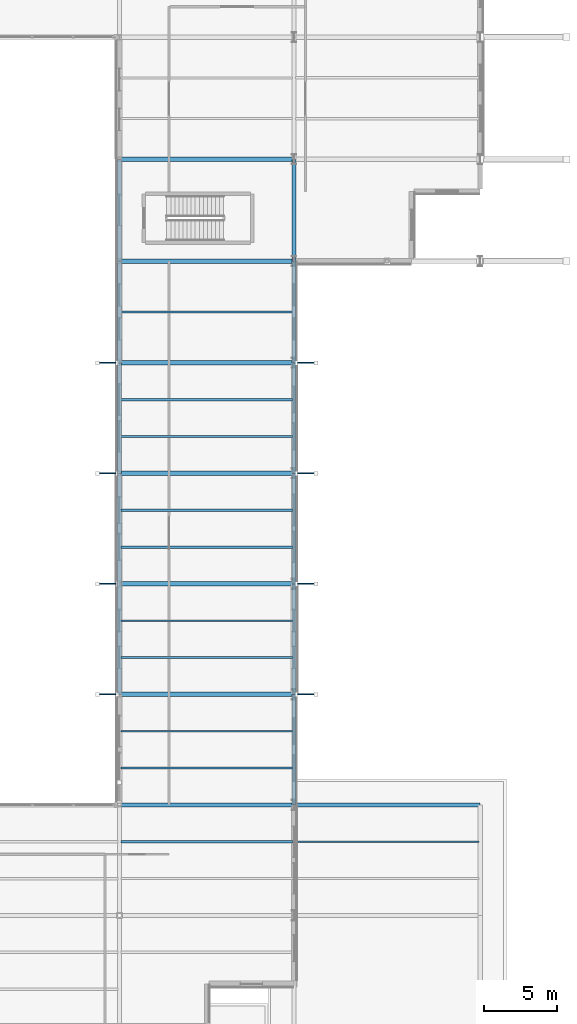
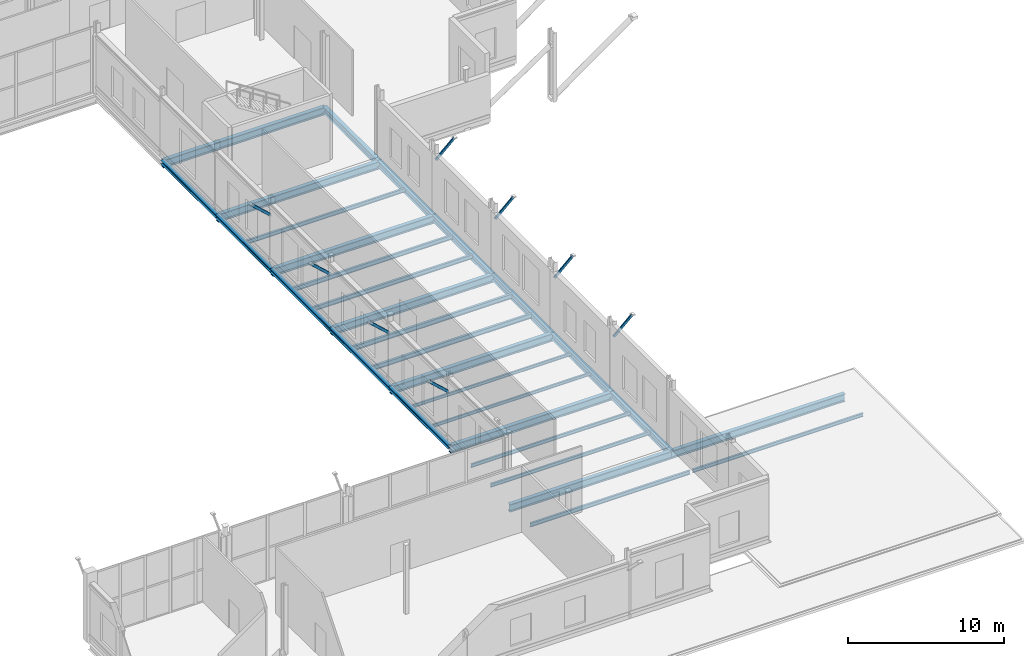
# One storey, part 81 of 147: 30 beams, 8 members.
"""IFC4 building model written with IfcOpenShell, lengths in metres."""

from ifc_helpers import new_model, si_unit, direction, frame, origin, origin_2d, place, context, subcontext, project, spatial, hollow_rectangle, i_section, extrude, material, material_profile, profile_set, type_object, element, save


model = new_model("IFC4")

# Units and contexts
model_context = context("Model", 3, precision=1e-05, world=origin(), true_north=direction((0.0, 1.0)))
body_context = subcontext(model_context, "Body", "Model", "MODEL_VIEW")
ifc_project = project(units=[si_unit("LENGTHUNIT", "METRE"), si_unit("AREAUNIT", "SQUARE_METRE"), si_unit("VOLUMEUNIT", "CUBIC_METRE"), si_unit("PLANEANGLEUNIT", "RADIAN"), si_unit("MASSUNIT", "GRAM", prefix="KILO")], contexts=[model_context])

# Site, building, storey
site_placement = place(None, origin())
site = spatial("IfcSite", under=ifc_project, at=site_placement, CompositionType="ELEMENT")
building_placement = place(site_placement, origin())
building = spatial("IfcBuilding", under=site, at=building_placement, Name="Vekula Escarpment Museum", CompositionType="ELEMENT")
storey_placement = place(building_placement, frame((0.0, 0.0, 7.800048828125)))
storey = spatial("IfcBuildingStorey", under=building, at=storey_placement, Name="L02", CompositionType="ELEMENT", Elevation=7.800048828125)

# Beams
ifc_material_1 = material(Name="Steel S355", Category="steel")
ifc_material_profile_1 = material_profile(ifc_material_1, i_section(OverallWidth=0.300048828125, OverallDepth=0.5, WebThickness=0.014404296875, FlangeThickness=0.028076171875, FilletRadius=0.027099609375, at=origin_2d()), Name="HEB 500")
ifc_profile_set_1 = profile_set([ifc_material_profile_1], Name="Steel S355")
beam_type_1 = type_object("IfcBeamType", Name="BM-GIRD-HEB500", PredefinedType="BEAM", material=ifc_profile_set_1)
beam_1_placement = place(storey_placement, frame((179.0, 15.199951171875, -0.510009765625), z_axis=(0.0, 1.0, 0.0), x_axis=(-1.0, 0.0, 0.0)))
element("IfcBeam", 1, at=beam_1_placement, inside=storey, type_object=beam_type_1, Name="Beam Y L02 1242", PredefinedType="BEAM", context=body_context, shape_type="SweptSolid", body=[
    extrude(i_section(OverallWidth=0.300048828125, OverallDepth=0.5, WebThickness=0.014404296875, FlangeThickness=0.028076171875, FilletRadius=0.027099609375, at=origin_2d()), origin(), (0.0, 0.0, 1.0), 7.60009765625),
])
beam_2_placement = place(storey_placement, frame((179.0, 22.800048828125, -0.510009765625), z_axis=(0.0, 1.0, 0.0), x_axis=(-1.0, 0.0, 0.0)))
element("IfcBeam", 2, at=beam_2_placement, inside=storey, type_object=beam_type_1, Name="Beam Y L02 1243", PredefinedType="BEAM", context=body_context, shape_type="SweptSolid", body=[
    extrude(i_section(OverallWidth=0.300048828125, OverallDepth=0.5, WebThickness=0.014404296875, FlangeThickness=0.028076171875, FilletRadius=0.027099609375, at=origin_2d()), origin(), (0.0, 0.0, 1.0), 7.599853515625),
])
for number, where, z_axis, x_axis, name in (
    (3, (179.0, 30.39990234375, -0.510009765625), (0.0, 1.0, 0.0), (-1.0, 0.0, 0.0), "Beam Y L02 1244"),
    (4, (179.0, 38.0, -0.510009765625), (0.0, 1.0, 0.0), (-1.0, 0.0, 0.0), "Beam Y L02 1245"),
):
    element("IfcBeam", number, at=place(storey_placement, frame(where, z_axis=z_axis, x_axis=x_axis)), inside=storey, type_object=beam_type_1, Name=name, PredefinedType="BEAM", context=body_context, shape_type="SweptSolid", body=[
        extrude(i_section(OverallWidth=0.300048828125, OverallDepth=0.5, WebThickness=0.014404296875, FlangeThickness=0.028076171875, FilletRadius=0.027099609375, at=origin_2d()), origin(), (0.0, 0.0, 1.0), 7.60009765625),
    ])
for number, where, z_axis, x_axis, name in (
    (5, (179.0, 45.60009765625, -0.510009765625), (0.0, 1.0, 0.0), (-1.0, 0.0, 0.0), "Beam Y L02 1246"),
    (6, (179.0, 52.60009765625, -0.510009765625), (0.0, 1.0, 0.0), (-1.0, 0.0, 0.0), "Beam Y L02 1247"),
):
    element("IfcBeam", number, at=place(storey_placement, frame(where, z_axis=z_axis, x_axis=x_axis)), inside=storey, type_object=beam_type_1, Name=name, PredefinedType="BEAM", context=body_context, shape_type="SweptSolid", body=[
        extrude(i_section(OverallWidth=0.300048828125, OverallDepth=0.5, WebThickness=0.014404296875, FlangeThickness=0.028076171875, FilletRadius=0.027099609375, at=origin_2d()), origin(), (0.0, 0.0, 1.0), 7.0),
    ])
ifc_material_2 = material(Name="Steel S355", Category="steel")
ifc_material_profile_2 = material_profile(ifc_material_2, i_section(OverallWidth=0.300048828125, OverallDepth=0.60009765625, WebThickness=0.015380859375, FlangeThickness=0.030029296875, FilletRadius=0.027099609375, at=origin_2d()), Name="HEB 600")
ifc_profile_set_2 = profile_set([ifc_material_profile_2], Name="Steel S355")
beam_type_2 = type_object("IfcBeamType", Name="BM-GIRD-HEB600", PredefinedType="BEAM", material=ifc_profile_set_2)
beam_3_placement = place(storey_placement, frame((167.0, 15.199951171875, -0.56005859375), z_axis=(1.0, 0.0, 0.0), x_axis=(0.0, 1.0, 0.0)))
element("IfcBeam", 7, at=beam_3_placement, inside=storey, type_object=beam_type_2, Name="Beam X L02 0825", PredefinedType="BEAM", context=body_context, shape_type="SweptSolid", body=[
    extrude(i_section(OverallWidth=0.300048828125, OverallDepth=0.60009765625, WebThickness=0.015380859375, FlangeThickness=0.030029296875, FilletRadius=0.027099609375, at=origin_2d()), origin(), (0.0, 0.0, 1.0), 12.0),
])
beam_4_placement = place(storey_placement, frame((179.0, 15.199951171875, -0.56005859375), z_axis=(1.0, 0.0, 0.0), x_axis=(0.0, 1.0, 0.0)))
element("IfcBeam", 8, at=beam_4_placement, inside=storey, type_object=beam_type_2, Name="Beam X L02 0826", PredefinedType="BEAM", context=body_context, shape_type="SweptSolid", body=[
    extrude(i_section(OverallWidth=0.300048828125, OverallDepth=0.60009765625, WebThickness=0.015380859375, FlangeThickness=0.030029296875, FilletRadius=0.027099609375, at=origin_2d()), origin(), (0.0, 0.0, 1.0), 12.800048828125),
])
for number, where, z_axis, x_axis, name in (
    (9, (167.0, 22.800048828125, -0.56005859375), (1.0, 0.0, 0.0), (0.0, 1.0, 0.0), "Beam X L02 0833"),
    (10, (167.0, 30.39990234375, -0.56005859375), (1.0, 0.0, 0.0), (0.0, 1.0, 0.0), "Beam X L02 0837"),
    (11, (167.0, 38.0, -0.56005859375), (1.0, 0.0, 0.0), (0.0, 1.0, 0.0), "Beam X L02 0841"),
    (12, (167.0, 45.60009765625, -0.56005859375), (1.0, 0.0, 0.0), (0.0, 1.0, 0.0), "Beam X L02 0851"),
    (13, (167.0, 52.60009765625, -0.56005859375), (1.0, 0.0, 0.0), (0.0, 1.0, 0.0), "Beam X L02 0867"),
    (14, (167.0, 59.60009765625, -0.56005859375), (1.0, 0.0, 0.0), (0.0, 1.0, 0.0), "Beam X L02 0885"),
):
    element("IfcBeam", number, at=place(storey_placement, frame(where, z_axis=z_axis, x_axis=x_axis)), inside=storey, type_object=beam_type_2, Name=name, PredefinedType="BEAM", context=body_context, shape_type="SweptSolid", body=[
        extrude(i_section(OverallWidth=0.300048828125, OverallDepth=0.60009765625, WebThickness=0.015380859375, FlangeThickness=0.030029296875, FilletRadius=0.027099609375, at=origin_2d()), origin(), (0.0, 0.0, 1.0), 12.0),
    ])
ifc_material_3 = material(Name="Steel S355", Category="steel")
ifc_material_profile_3 = material_profile(ifc_material_3, i_section(OverallWidth=0.1201171875, OverallDepth=0.239990234375, WebThickness=0.006103515625, FlangeThickness=0.009765625, FilletRadius=0.014892578125, at=origin_2d()), Name="IPE 240")
ifc_profile_set_3 = profile_set([ifc_material_profile_3], Name="Steel S355")
beam_type_3 = type_object("IfcBeamType", Name="BM-JST-IPE240", PredefinedType="JOIST", material=ifc_profile_set_3)
for number, where, z_axis, x_axis, name in (
    (15, (167.090087890625, 25.333251953125, -0.380126953125), (1.0, 0.0, 0.0), (0.0, 1.0, 0.0), "Secondary Joist L02 0846"),
    (16, (167.090087890625, 27.86669921875, -0.380126953125), (1.0, 0.0, 0.0), (0.0, 1.0, 0.0), "Secondary Joist L02 0847"),
):
    element("IfcBeam", number, at=place(storey_placement, frame(where, z_axis=z_axis, x_axis=x_axis)), inside=storey, type_object=beam_type_3, Name=name, PredefinedType="JOIST", context=body_context, shape_type="SweptSolid", body=[
        extrude(i_section(OverallWidth=0.1201171875, OverallDepth=0.239990234375, WebThickness=0.006103515625, FlangeThickness=0.009765625, FilletRadius=0.014892578125, at=origin_2d()), origin(), (0.0, 0.0, 1.0), 11.81982421875),
    ])
ifc_material_4 = material(Name="Steel S355", Category="steel")
ifc_material_profile_4 = material_profile(ifc_material_4, i_section(OverallWidth=0.135009765625, OverallDepth=0.27001953125, WebThickness=0.006591796875, FlangeThickness=0.01025390625, FilletRadius=0.014892578125, at=origin_2d()), Name="IPE 270")
ifc_profile_set_4 = profile_set([ifc_material_profile_4], Name="Steel S355")
beam_type_4 = type_object("IfcBeamType", Name="BM-JST-IPE270", PredefinedType="JOIST", material=ifc_profile_set_4)
for number, where, z_axis, x_axis, name in (
    (17, (167.090087890625, 17.7333984375, -0.39501953125), (1.0, 0.0, 0.0), (0.0, 1.0, 0.0), "Secondary Joist L02 0844"),
    (18, (167.090087890625, 20.2666015625, -0.39501953125), (1.0, 0.0, 0.0), (0.0, 1.0, 0.0), "Secondary Joist L02 0845"),
):
    element("IfcBeam", number, at=place(storey_placement, frame(where, z_axis=z_axis, x_axis=x_axis)), inside=storey, type_object=beam_type_4, Name=name, PredefinedType="JOIST", context=body_context, shape_type="SweptSolid", body=[
        extrude(i_section(OverallWidth=0.135009765625, OverallDepth=0.27001953125, WebThickness=0.006591796875, FlangeThickness=0.01025390625, FilletRadius=0.014892578125, at=origin_2d()), origin(), (0.0, 0.0, 1.0), 11.81982421875),
    ])
beam_5_placement = place(storey_placement, frame((179.090087890625, 12.666748046875, -0.39501953125), z_axis=(1.0, 0.0, 0.0), x_axis=(0.0, 1.0, 0.0)))
element("IfcBeam", 19, at=beam_5_placement, inside=storey, type_object=beam_type_4, Name="Secondary Joist L02 0869", PredefinedType="JOIST", context=body_context, shape_type="SweptSolid", body=[
    extrude(i_section(OverallWidth=0.135009765625, OverallDepth=0.27001953125, WebThickness=0.006591796875, FlangeThickness=0.01025390625, FilletRadius=0.014892578125, at=origin_2d()), origin(), (0.0, 0.0, 1.0), 12.619873046875),
])
ifc_material_5 = material(Name="Steel S355", Category="steel")
ifc_material_profile_5 = material_profile(ifc_material_5, i_section(OverallWidth=0.14990234375, OverallDepth=0.300048828125, WebThickness=0.007080078125, FlangeThickness=0.0107421875, FilletRadius=0.014892578125, at=origin_2d()), Name="IPE 300")
ifc_profile_set_5 = profile_set([ifc_material_profile_5], Name="Steel S355")
beam_type_5 = type_object("IfcBeamType", Name="BM-JST-IPE300", PredefinedType="JOIST", material=ifc_profile_set_5)
for number, where, z_axis, x_axis, name in (
    (20, (167.090087890625, 12.666748046875, -0.41015625), (1.0, 0.0, 0.0), (0.0, 1.0, 0.0), "Secondary Joist L02 0843"),
    (21, (167.090087890625, 49.10009765625, -0.41015625), (1.0, 0.0, 0.0), (0.0, 1.0, 0.0), "Secondary Joist L02 0852"),
):
    element("IfcBeam", number, at=place(storey_placement, frame(where, z_axis=z_axis, x_axis=x_axis)), inside=storey, type_object=beam_type_5, Name=name, PredefinedType="JOIST", context=body_context, shape_type="SweptSolid", body=[
        extrude(i_section(OverallWidth=0.14990234375, OverallDepth=0.300048828125, WebThickness=0.007080078125, FlangeThickness=0.0107421875, FilletRadius=0.014892578125, at=origin_2d()), origin(), (0.0, 0.0, 1.0), 11.81982421875),
    ])
ifc_material_6 = material(Name="Steel S355", Category="steel")
ifc_material_profile_6 = material_profile(ifc_material_6, i_section(OverallWidth=0.159912109375, OverallDepth=0.330078125, WebThickness=0.007568359375, FlangeThickness=0.011474609375, FilletRadius=0.01806640625, at=origin_2d()), Name="IPE 330")
ifc_profile_set_6 = profile_set([ifc_material_profile_6], Name="Steel S355")
beam_type_6 = type_object("IfcBeamType", Name="BM-JST-IPE330", PredefinedType="JOIST", material=ifc_profile_set_6)
for number, where, z_axis, x_axis, name in (
    (22, (167.090087890625, 40.533203125, -0.425048828125), (1.0, 0.0, 0.0), (0.0, 1.0, 0.0), "Secondary Joist L02 0850"),
    (23, (167.090087890625, 43.066650390625, -0.425048828125), (1.0, 0.0, 0.0), (0.0, 1.0, 0.0), "Secondary Joist L02 0851"),
):
    element("IfcBeam", number, at=place(storey_placement, frame(where, z_axis=z_axis, x_axis=x_axis)), inside=storey, type_object=beam_type_6, Name=name, PredefinedType="JOIST", context=body_context, shape_type="SweptSolid", body=[
        extrude(i_section(OverallWidth=0.159912109375, OverallDepth=0.330078125, WebThickness=0.007568359375, FlangeThickness=0.011474609375, FilletRadius=0.01806640625, at=origin_2d()), origin(), (0.0, 0.0, 1.0), 11.81982421875),
    ])
ifc_material_7 = material(Name="Steel S355", Category="steel")
ifc_material_profile_7 = material_profile(ifc_material_7, i_section(OverallWidth=0.169921875, OverallDepth=0.360107421875, WebThickness=0.008056640625, FlangeThickness=0.0126953125, FilletRadius=0.01806640625, at=origin_2d()), Name="IPE 360")
ifc_profile_set_7 = profile_set([ifc_material_profile_7], Name="Steel S355")
beam_type_7 = type_object("IfcBeamType", Name="BM-JST-IPE360", PredefinedType="JOIST", material=ifc_profile_set_7)
for number, where, z_axis, x_axis, name in (
    (24, (167.090087890625, 32.933349609375, -0.43994140625), (1.0, 0.0, 0.0), (0.0, 1.0, 0.0), "Secondary Joist L02 0848"),
    (25, (167.090087890625, 35.466796875, -0.43994140625), (1.0, 0.0, 0.0), (0.0, 1.0, 0.0), "Secondary Joist L02 0849"),
):
    element("IfcBeam", number, at=place(storey_placement, frame(where, z_axis=z_axis, x_axis=x_axis)), inside=storey, type_object=beam_type_7, Name=name, PredefinedType="JOIST", context=body_context, shape_type="SweptSolid", body=[
        extrude(i_section(OverallWidth=0.169921875, OverallDepth=0.360107421875, WebThickness=0.008056640625, FlangeThickness=0.0126953125, FilletRadius=0.01806640625, at=origin_2d()), origin(), (0.0, 0.0, 1.0), 11.81982421875),
    ])
ifc_material_8 = material(Name="Steel S355", Category="steel")
ifc_material_profile_8 = material_profile(ifc_material_8, i_section(OverallWidth=0.300048828125, OverallDepth=0.2900390625, WebThickness=0.008544921875, FlangeThickness=0.013916015625, FilletRadius=0.027099609375, at=origin_2d()), Name="HEA 300")
ifc_profile_set_8 = profile_set([ifc_material_profile_8], Name="Steel S355")
beam_type_8 = type_object("IfcBeamType", Name="BM-SPAN-HEA300", PredefinedType="SPANDREL", material=ifc_profile_set_8)
beam_6_placement = place(storey_placement, frame((167.0, 22.800048828125, -0.405029296875), z_axis=(0.0, 1.0, 0.0), x_axis=(-1.0, 0.0, 0.0)))
element("IfcBeam", 26, at=beam_6_placement, inside=storey, type_object=beam_type_8, Name="Beam Y L02 1224", PredefinedType="SPANDREL", context=body_context, shape_type="SweptSolid", body=[
    extrude(i_section(OverallWidth=0.300048828125, OverallDepth=0.2900390625, WebThickness=0.008544921875, FlangeThickness=0.013916015625, FilletRadius=0.027099609375, at=origin_2d()), origin(), (0.0, 0.0, 1.0), 7.599853515625),
])
for number, where, z_axis, x_axis, name in (
    (27, (167.0, 30.39990234375, -0.405029296875), (0.0, 1.0, 0.0), (-1.0, 0.0, 0.0), "Beam Y L02 1225"),
    (28, (167.0, 38.0, -0.405029296875), (0.0, 1.0, 0.0), (-1.0, 0.0, 0.0), "Beam Y L02 1226"),
):
    element("IfcBeam", number, at=place(storey_placement, frame(where, z_axis=z_axis, x_axis=x_axis)), inside=storey, type_object=beam_type_8, Name=name, PredefinedType="SPANDREL", context=body_context, shape_type="SweptSolid", body=[
        extrude(i_section(OverallWidth=0.300048828125, OverallDepth=0.2900390625, WebThickness=0.008544921875, FlangeThickness=0.013916015625, FilletRadius=0.027099609375, at=origin_2d()), origin(), (0.0, 0.0, 1.0), 7.60009765625),
    ])
for number, where, z_axis, x_axis, name in (
    (29, (167.0, 45.60009765625, -0.405029296875), (0.0, 1.0, 0.0), (-1.0, 0.0, 0.0), "Beam Y L02 1227"),
    (30, (167.0, 52.60009765625, -0.405029296875), (0.0, 1.0, 0.0), (-1.0, 0.0, 0.0), "Beam Y L02 1228"),
):
    element("IfcBeam", number, at=place(storey_placement, frame(where, z_axis=z_axis, x_axis=x_axis)), inside=storey, type_object=beam_type_8, Name=name, PredefinedType="SPANDREL", context=body_context, shape_type="SweptSolid", body=[
        extrude(i_section(OverallWidth=0.300048828125, OverallDepth=0.2900390625, WebThickness=0.008544921875, FlangeThickness=0.013916015625, FilletRadius=0.027099609375, at=origin_2d()), origin(), (0.0, 0.0, 1.0), 7.0),
    ])

# Members
ifc_material_9 = material(Name="Steel S355", Category="steel")
ifc_material_profile_9 = material_profile(ifc_material_9, hollow_rectangle(XDim=0.10009765625, YDim=0.199951171875, WallThickness=0.008056640625, InnerFilletRadius=0.008056640625, OuterFilletRadius=0.01611328125, at=origin_2d()), Name="RHS 200x100x8")
ifc_profile_set_9 = profile_set([ifc_material_profile_9], Name="Steel S355")
member_type = type_object("IfcMemberType", Name="MB-SACAK-BRK", PredefinedType="STRUT", material=ifc_profile_set_9)
for number, where, z_axis, x_axis, name in (
    (31, (166.8798828125, 22.800048828125, 3.949951171875), (-0.738454378718, 0.0, 0.674303441006), (0.0, -1.0, 0.0), "Ottoman Sacak Eave Bracket L03-0080"),
    (32, (166.8798828125, 30.39990234375, 3.949951171875), (-0.738454378718, 0.0, 0.674303441006), (0.0, -1.0, 0.0), "Ottoman Sacak Eave Bracket L03-0081"),
    (33, (166.8798828125, 38.0, 3.949951171875), (-0.738454378718, 0.0, 0.674303441006), (0.0, -1.0, 0.0), "Ottoman Sacak Eave Bracket L03-0082"),
    (34, (166.8798828125, 45.60009765625, 3.949951171875), (-0.738454378718, 0.0, 0.674303441006), (0.0, -1.0, 0.0), "Ottoman Sacak Eave Bracket L03-0083"),
    (35, (179.1201171875, 22.800048828125, 3.949951171875), (0.738454378718, 0.0, 0.674303441006), (0.0, 1.0, 0.0), "Ottoman Sacak Eave Bracket L03-0086"),
    (36, (179.1201171875, 30.39990234375, 3.949951171875), (0.738454378718, 0.0, 0.674303441006), (0.0, 1.0, 0.0), "Ottoman Sacak Eave Bracket L03-0087"),
    (37, (179.1201171875, 38.0, 3.949951171875), (0.738454378718, 0.0, 0.674303441006), (0.0, 1.0, 0.0), "Ottoman Sacak Eave Bracket L03-0088"),
    (38, (179.1201171875, 45.60009765625, 3.949951171875), (0.738454378718, 0.0, 0.674303441006), (0.0, 1.0, 0.0), "Ottoman Sacak Eave Bracket L03-0089"),
):
    element("IfcMember", number, at=place(storey_placement, frame(where, z_axis=z_axis, x_axis=x_axis)), inside=storey, type_object=member_type, Name=name, PredefinedType="STRUT", context=body_context, shape_type="SweptSolid", body=[
        extrude(hollow_rectangle(XDim=0.10009765625, YDim=0.199951171875, WallThickness=0.008056640625, InnerFilletRadius=0.008056640625, OuterFilletRadius=0.01611328125, at=origin_2d()), origin(), (0.0, 0.0, 1.0), 1.86865234375),
    ])

save(model, "model.ifc")
